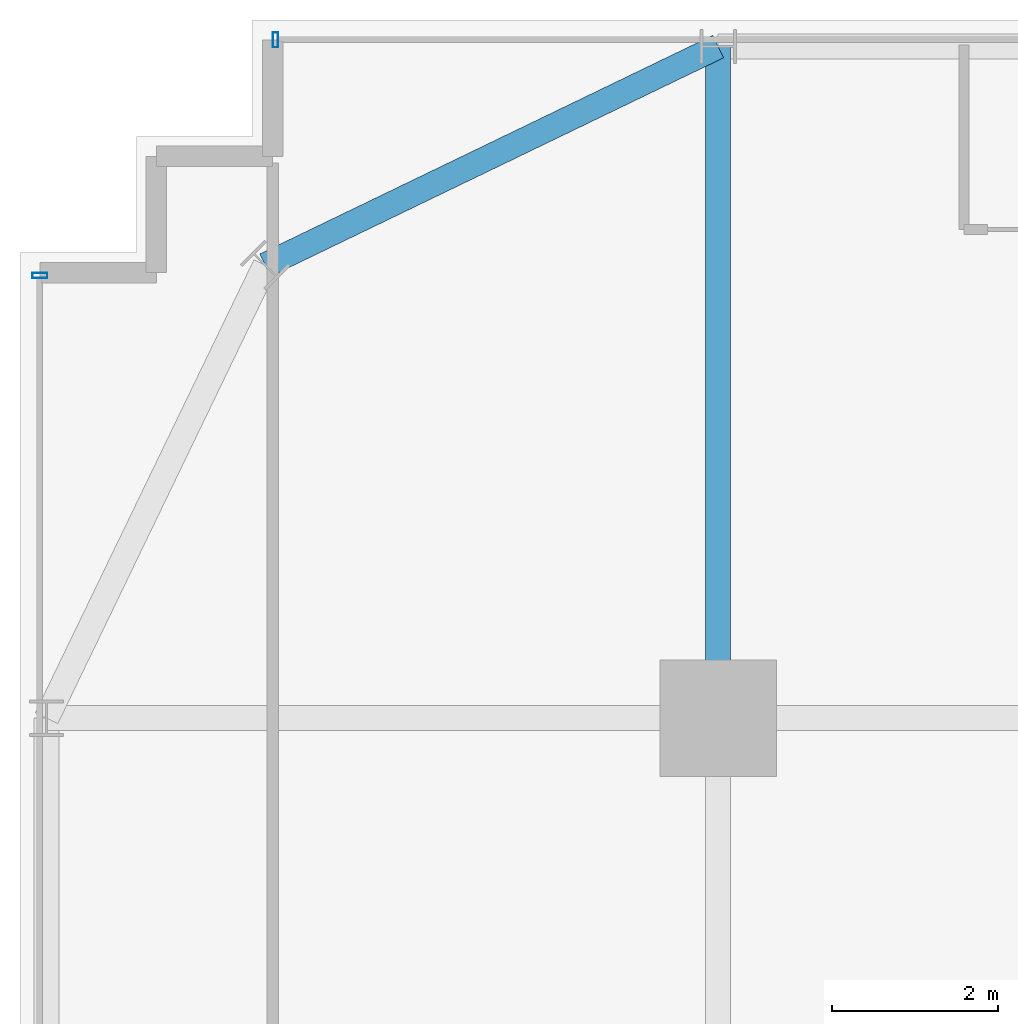
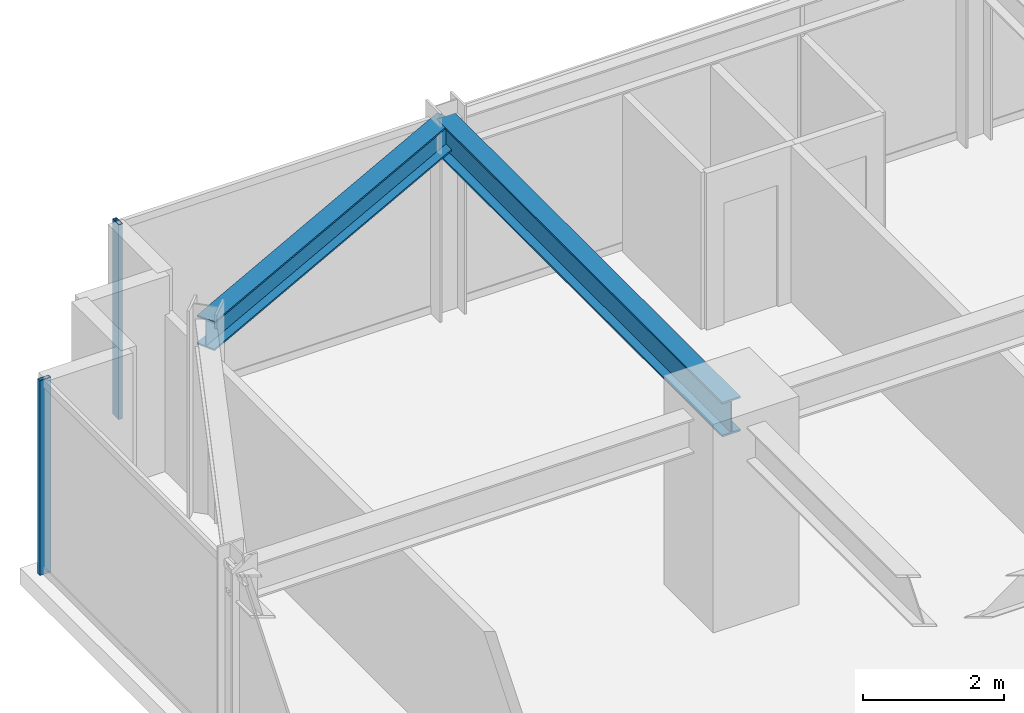
# One storey, part 20 of 36: 2 beams, 2 members, 2 elements without a shape of their own.
"""IFC4 building model written with IfcOpenShell, lengths in metres."""

from ifc_helpers import new_model, si_unit, direction, frame, origin, origin_2d, place, context, subcontext, project, spatial, hollow_rectangle, i_section, extrude, source, transform, mapped, material, material_profile, profile_set, type_object, element, aggregate, save


model = new_model("IFC4")

# Units and contexts
model_context = context("Model", 3, precision=1e-05, world=origin(), true_north=direction((0.0, 1.0)))
body_context = subcontext(model_context, "Body", "Model", "MODEL_VIEW")
ifc_project = project(units=[si_unit("LENGTHUNIT", "METRE"), si_unit("AREAUNIT", "SQUARE_METRE"), si_unit("VOLUMEUNIT", "CUBIC_METRE"), si_unit("PLANEANGLEUNIT", "RADIAN"), si_unit("MASSUNIT", "GRAM", prefix="KILO")], contexts=[model_context])

# Site, building, storey
site_placement = place(None, origin())
site = spatial("IfcSite", under=ifc_project, at=site_placement, CompositionType="ELEMENT")
building_placement = place(site_placement, origin())
building = spatial("IfcBuilding", under=site, at=building_placement, Name="Nahalor Promenade Grand Hotel", CompositionType="ELEMENT")
storey_placement = place(building_placement, frame((0.0, 0.0, 72.550048828125)))
storey = spatial("IfcBuildingStorey", under=building, at=storey_placement, Name="L17", CompositionType="ELEMENT", Elevation=72.550048828125)

# Beams
ifc_material_1 = material(Name="Steel S355JR", Category="steel")
ifc_material_profile_1 = material_profile(ifc_material_1, i_section(OverallWidth=0.3, OverallDepth=0.6, WebThickness=0.0155, FlangeThickness=0.03, at=origin_2d()), Name="HEB 600")
ifc_profile_set_1 = profile_set([ifc_material_profile_1], Name="Steel S355JR")
beam_type_1 = type_object("IfcBeamType", Name="Beam-Girder-HEB600", PredefinedType="BEAM", material=ifc_profile_set_1)
shared_shape_1 = source(origin(), body_context, "Body", "SweptSolid", [
    extrude(i_section(OverallWidth=0.3, OverallDepth=0.6, WebThickness=0.0155, FlangeThickness=0.03, at=origin_2d()), origin(), (0.0, 0.0, 1.0), 8.080078125),
])
beam_1_placement = place(storey_placement, frame((-17.0, 17.0, 3.070068359375), z_axis=(0.0, 1.0, 0.0), x_axis=(-1.0, 0.0, 0.0)))
element("IfcBeam", 1, at=beam_1_placement, inside=storey, type_object=beam_type_1, Name="BM-L17-GY-0-4", PredefinedType="BEAM", context=body_context, shape_type="MappedRepresentation", body=[
    mapped(shared_shape_1, transform((0.0, 0.0, 0.0), scale=1.0)),
])
ifc_material_profile_2 = material_profile(ifc_material_1, i_section(OverallWidth=0.3, OverallDepth=0.5, WebThickness=0.0145, FlangeThickness=0.028, at=origin_2d()), Name="HEB 500")
ifc_profile_set_2 = profile_set([ifc_material_profile_2], Name="Steel S355JR")
beam_type_2 = type_object("IfcBeamType", Name="Beam-Spandrel-HEB500", PredefinedType="SPANDREL", material=ifc_profile_set_2)
shared_shape_2 = source(origin(), body_context, "Body", "SweptSolid", [
    extrude(i_section(OverallWidth=0.3, OverallDepth=0.5, WebThickness=0.0145, FlangeThickness=0.028, at=origin_2d()), origin(), (0.0, 0.0, 1.0), 6.051513671875),
])
beam_2_placement = place(storey_placement, frame((-17.0, 25.080078125, 3.119873046875), z_axis=(-0.900608818852, -0.434630596492, 0.0), x_axis=(0.434630596492, -0.900608818852, 0.0)))
element("IfcBeam", 2, at=beam_2_placement, inside=storey, type_object=beam_type_2, Name="BM-L17-SPC-NW-1", PredefinedType="SPANDREL", context=body_context, shape_type="MappedRepresentation", body=[
    mapped(shared_shape_2, transform((0.0, 0.0, 0.0), scale=1.0)),
])

# Curtain wall, member
ifc_material_2 = material(Name="Anodised Bronze Aluminium EN AW-6063 T6", Category="aluminium")
curtain_wall_type = type_object("IfcCurtainWallType", Name="CW2 Typical Hotel Flush Bronze Unitised Curtain Wall", PredefinedType="USERDEFINED", material=ifc_material_2)
curtain_wall_1_placement = place(storey_placement, origin())
curtain_wall_1 = element("IfcCurtainWall", 3, at=curtain_wall_1_placement, inside=storey, type_object=curtain_wall_type, Name="L17 Curtain Wall CW-L17-N-1", ObjectType="UNITISED_CURTAIN_WALL", PredefinedType="USERDEFINED")
ifc_material_profile_3 = material_profile(ifc_material_2, hollow_rectangle(XDim=0.065, YDim=0.18, WallThickness=0.004, at=origin_2d()), Name="CWM 65x180x4")
ifc_profile_set_3 = profile_set([ifc_material_profile_3], Name="Anodised Bronze Aluminium EN AW-6063 T6")
member_type = type_object("IfcMemberType", Name="CWM2 Typical Bronze Mullion 65x180", PredefinedType="MULLION", material=ifc_profile_set_3)
shared_shape_3 = source(origin(), body_context, "Body", "SweptSolid", [
    extrude(hollow_rectangle(XDim=0.065, YDim=0.18, WallThickness=0.004, at=origin_2d()), origin(), (0.0, 0.0, 1.0), 3.369873046875),
])
member_1_placement = place(storey_placement, frame((-22.327392578125, 25.159912109375, 0.0), z_axis=(0.0, 0.0, 1.0), x_axis=(1.0, 0.0, 0.0)))
member_1 = element("IfcMember", 4, at=member_1_placement, type_object=member_type, Name="CW-L17-N-1 Mullion 0", PredefinedType="MULLION", context=body_context, shape_type="MappedRepresentation", body=[
    mapped(shared_shape_3, transform((0.0, 0.0, 0.0), scale=1.0)),
])
aggregate(curtain_wall_1, [member_1])

curtain_wall_2_placement = place(storey_placement, origin())
curtain_wall_2 = element("IfcCurtainWall", 5, at=curtain_wall_2_placement, inside=storey, type_object=curtain_wall_type, Name="L17 Curtain Wall CW-L17-W-1", ObjectType="UNITISED_CURTAIN_WALL", PredefinedType="USERDEFINED")
member_2_placement = place(storey_placement, frame((-25.159912109375, 22.327392578125, 0.0), z_axis=(0.0, 0.0, 1.0), x_axis=(0.0, 1.0, 0.0)))
member_2 = element("IfcMember", 6, at=member_2_placement, type_object=member_type, Name="CW-L17-W-1 Mullion 4", PredefinedType="MULLION", context=body_context, shape_type="MappedRepresentation", body=[
    mapped(shared_shape_3, transform((0.0, 0.0, 0.0), scale=1.0)),
])
aggregate(curtain_wall_2, [member_2])

save(model, "model.ifc")
